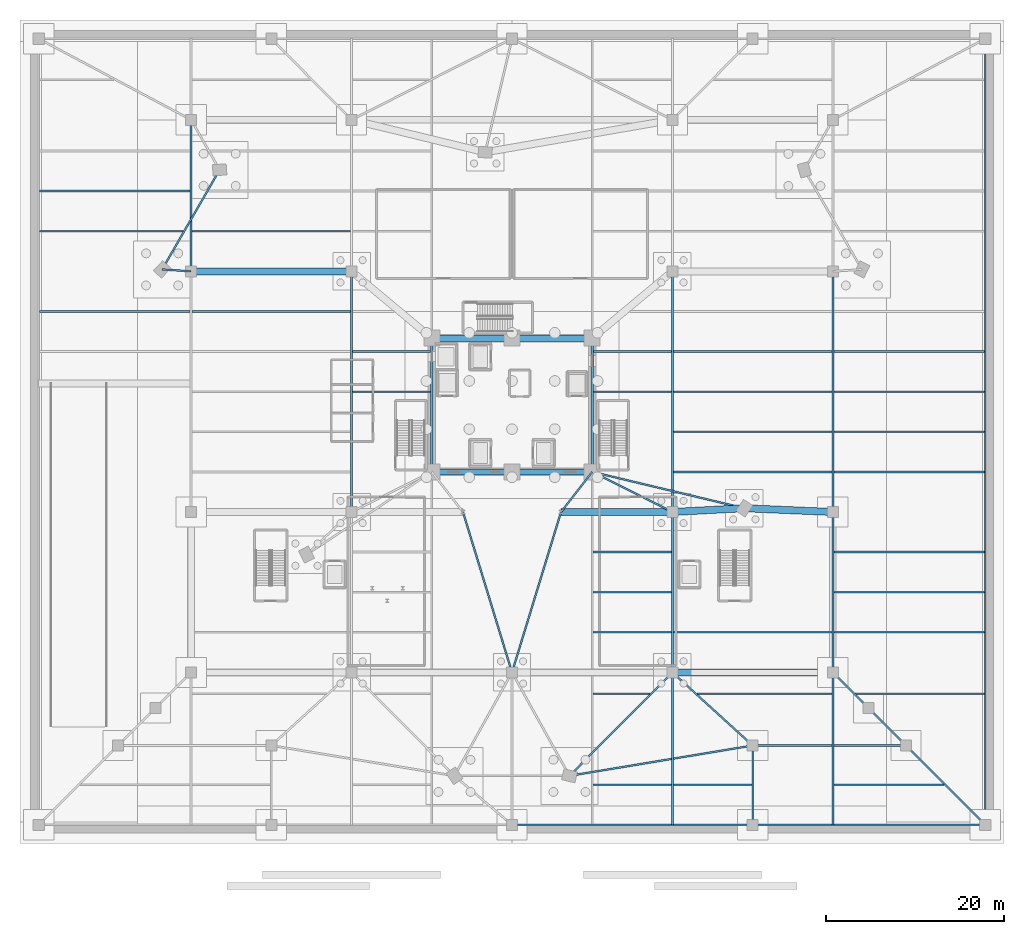
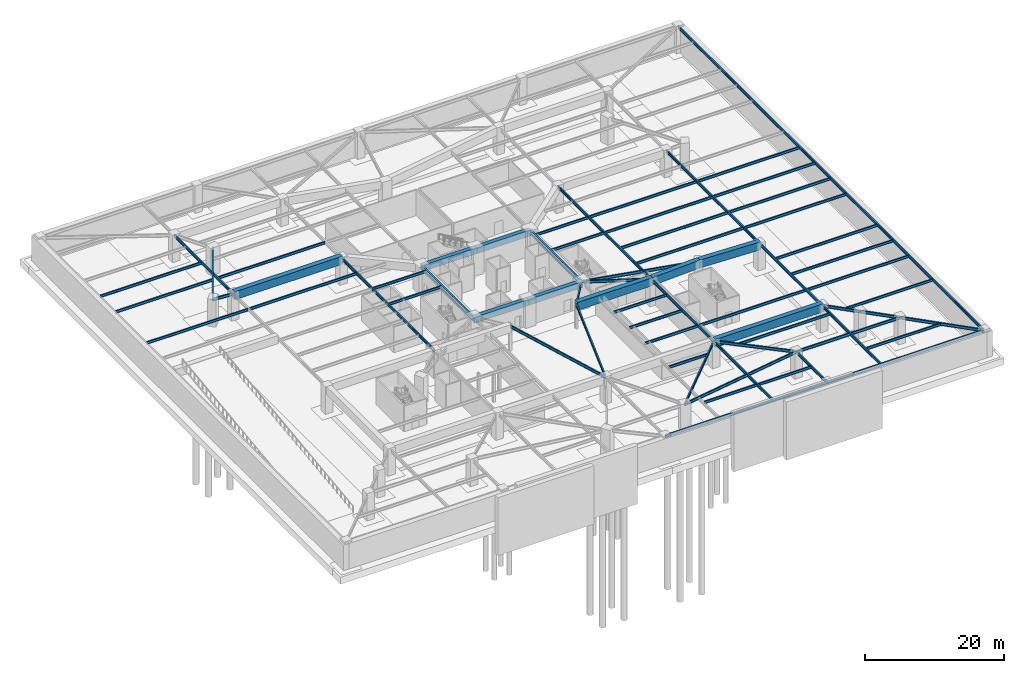
# One storey, part 5 of 19: 67 beams.
"""IFC4 building model written with IfcOpenShell, lengths in metres."""

from ifc_helpers import new_model, si_unit, direction, frame, origin, origin_2d, place, context, subcontext, project, spatial, rectangle, i_section, extrude, source, transform, mapped, material, material_profile, profile_set, type_object, element, save


model = new_model("IFC4")

# Units and contexts
model_context = context("Model", 3, precision=1e-05, world=origin(), true_north=direction((0.0, 1.0)))
body_context = subcontext(model_context, "Body", "Model", "MODEL_VIEW")
ifc_project = project(units=[si_unit("LENGTHUNIT", "METRE"), si_unit("AREAUNIT", "SQUARE_METRE"), si_unit("VOLUMEUNIT", "CUBIC_METRE"), si_unit("PLANEANGLEUNIT", "RADIAN"), si_unit("MASSUNIT", "GRAM", prefix="KILO")], contexts=[model_context])

# Site, building, storey
site_placement = place(None, origin())
site = spatial("IfcSite", under=ifc_project, at=site_placement, CompositionType="ELEMENT")
building_placement = place(site_placement, origin())
building = spatial("IfcBuilding", under=site, at=building_placement, Name="Liaohun Quay Tower", CompositionType="ELEMENT")
storey_placement = place(building_placement, frame((0.0, 0.0, -9.60009765625)))
storey = spatial("IfcBuildingStorey", under=building, at=storey_placement, Name="B2", CompositionType="ELEMENT", Elevation=-9.60009765625)

# Beams
ifc_material_1 = material(Name="Concrete C60", Category="concrete")
ifc_material_profile_1 = material_profile(ifc_material_1, rectangle(XDim=0.699951171875, YDim=1.050048828125, at=origin_2d()), Name="RC700x1050")
ifc_profile_set_1 = profile_set([ifc_material_profile_1], Name="Concrete C60")
beam_type_1 = type_object("IfcBeamType", Name="BM-CPL-1", PredefinedType="LINTEL", material=ifc_profile_set_1)
shared_shape_1 = source(origin(), body_context, "Body", "SweptSolid", [
    extrude(rectangle(XDim=0.699951171875, YDim=1.050048828125, at=origin_2d()), origin(), (0.0, 0.0, 1.0), 9.0),
])
for number, where, z_axis, x_axis, name in (
    (1, (51.0, 46.5, 3.97509765625), (1.0, 0.0, 0.0), (0.0, 1.0, 0.0), "B2 Core Coupling/Ring Beam CC1-CC2"),
    (2, (60.0, 46.5, 3.97509765625), (1.0, 0.0, 0.0), (0.0, 1.0, 0.0), "B2 Core Coupling/Ring Beam CC2-CC3"),
    (3, (69.0, 61.5, 3.97509765625), (-1.0, 0.0, 0.0), (0.0, -1.0, 0.0), "B2 Core Coupling/Ring Beam CC4-CC5"),
    (4, (60.0, 61.5, 3.97509765625), (-1.0, 0.0, 0.0), (0.0, -1.0, 0.0), "B2 Core Coupling/Ring Beam CC5-CC6"),
):
    element("IfcBeam", number, at=place(storey_placement, frame(where, z_axis=z_axis, x_axis=x_axis)), inside=storey, type_object=beam_type_1, Name=name, PredefinedType="LINTEL", context=body_context, shape_type="MappedRepresentation", body=[
        mapped(shared_shape_1, transform((0.0, 0.0, 0.0), x_axis=(1.0, 0.0, 0.0), y_axis=(0.0, 1.0, 0.0), z_axis=(0.0, 0.0, 1.0), scale=1.0)),
    ])
ifc_material_2 = material(Name="Steel Q355D", Category="steel")
ifc_material_profile_2 = material_profile(ifc_material_2, i_section(OverallWidth=0.300048828125, OverallDepth=0.800048828125, WebThickness=0.013916015625, FlangeThickness=0.02587890625, at=origin_2d()), Name="HN800x300x14x26")
ifc_profile_set_2 = profile_set([ifc_material_profile_2], Name="Steel Q355D")
beam_type_2 = type_object("IfcBeamType", Name="BM-RAD-M1", PredefinedType="BEAM", material=ifc_profile_set_2)
shared_shape_2 = source(origin(), body_context, "Body", "SweptSolid", [
    extrude(i_section(OverallWidth=0.300048828125, OverallDepth=0.800048828125, WebThickness=0.013916015625, FlangeThickness=0.02587890625, at=origin_2d()), origin(), (0.0, 0.0, 1.0), 15.0),
])
for number, where, z_axis, x_axis, name in (
    (5, (69.0, 46.5, 4.10009765625), (0.0, 1.0, 0.0), (-1.0, 0.0, 0.0), "B2 Core Coupling/Ring Beam CC3-CC4"),
    (6, (51.0, 61.5, 4.10009765625), (0.0, -1.0, 0.0), (1.0, 0.0, 0.0), "B2 Core Coupling/Ring Beam CC6-CC1"),
):
    element("IfcBeam", number, at=place(storey_placement, frame(where, z_axis=z_axis, x_axis=x_axis)), inside=storey, type_object=beam_type_2, Name=name, PredefinedType="BEAM", context=body_context, shape_type="MappedRepresentation", body=[
        mapped(shared_shape_2, transform((0.0, 0.0, 0.0), x_axis=(1.0, 0.0, 0.0), y_axis=(0.0, 1.0, 0.0), z_axis=(0.0, 0.0, 1.0), scale=1.0)),
    ])
ifc_material_3 = material(Name="Concrete C50", Category="concrete")
ifc_material_profile_3 = material_profile(ifc_material_3, rectangle(XDim=0.800048828125, YDim=1.39990234375, at=origin_2d()), Name="RC800x1400")
ifc_profile_set_3 = profile_set([ifc_material_profile_3], Name="Concrete C50")
beam_type_3 = type_object("IfcBeamType", Name="BM-GRD-1", PredefinedType="BEAM", material=ifc_profile_set_3)
shared_shape_3 = source(origin(), body_context, "Body", "SweptSolid", [
    extrude(rectangle(XDim=0.800048828125, YDim=1.39990234375, at=origin_2d()), origin(), (0.0, 0.0, 1.0), 18.0),
])
for number, where, z_axis, x_axis, name in (
    (7, (78.0, 24.0, 4.10009765625), (1.0, 0.0, 0.0), (0.0, 1.0, 0.0), "B2 Primary Grid Girder PG04-PG05"),
    (8, (24.0, 69.0, 4.10009765625), (1.0, 0.0, 0.0), (0.0, 1.0, 0.0), "B2 Primary Grid Girder PG10-PG11"),
):
    element("IfcBeam", number, at=place(storey_placement, frame(where, z_axis=z_axis, x_axis=x_axis)), inside=storey, type_object=beam_type_3, Name=name, PredefinedType="BEAM", context=body_context, shape_type="MappedRepresentation", body=[
        mapped(shared_shape_3, transform((0.0, 0.0, 0.0), x_axis=(1.0, 0.0, 0.0), y_axis=(0.0, 1.0, 0.0), z_axis=(0.0, 0.0, 1.0), scale=1.0)),
    ])
shared_shape_4 = source(origin(), body_context, "Body", "SweptSolid", [
    extrude(rectangle(XDim=0.800048828125, YDim=1.39990234375, at=origin_2d()), origin(), (0.0, 0.0, 1.0), 12.5),
])
beam_1_placement = place(storey_placement, frame((65.5, 42.0, 4.10009765625), z_axis=(1.0, 0.0, 0.0), x_axis=(0.0, 1.0, 0.0)))
element("IfcBeam", 9, at=beam_1_placement, inside=storey, type_object=beam_type_3, Name="B2 Primary Grid Girder AT2-PG08", PredefinedType="BEAM", context=body_context, shape_type="MappedRepresentation", body=[
    mapped(shared_shape_4, transform((0.0, 0.0, 0.0), x_axis=(1.0, 0.0, 0.0), y_axis=(0.0, 1.0, 0.0), z_axis=(0.0, 0.0, 1.0), scale=1.0)),
])
shared_shape_5 = source(origin(), body_context, "Body", "SweptSolid", [
    extrude(rectangle(XDim=0.800048828125, YDim=1.39990234375, at=origin_2d()), origin(), (0.0, 0.0, 1.0), 8.074951171875),
])
beam_2_placement = place(storey_placement, frame((78.0, 42.0, 4.10009765625), z_axis=(0.998626418426, 0.052395385502, 0.0), x_axis=(-0.052395385502, 0.998626418426, 0.0)))
element("IfcBeam", 10, at=beam_2_placement, inside=storey, type_object=beam_type_3, Name="B2 Primary Grid Girder PG08-PC10", PredefinedType="BEAM", context=body_context, shape_type="MappedRepresentation", body=[
    mapped(shared_shape_5, transform((0.0, 0.0, 0.0), x_axis=(1.0, 0.0, 0.0), y_axis=(0.0, 1.0, 0.0), z_axis=(0.0, 0.0, 1.0), scale=1.0)),
])
shared_shape_6 = source(origin(), body_context, "Body", "SweptSolid", [
    extrude(rectangle(XDim=0.800048828125, YDim=1.39990234375, at=origin_2d()), origin(), (0.0, 0.0, 1.0), 9.945068359375),
])
beam_3_placement = place(storey_placement, frame((86.06396484375, 42.423095703125, 4.10009765625), z_axis=(0.999094620033, -0.042543392219, 0.0), x_axis=(0.042543392219, 0.999094620033, 0.0)))
element("IfcBeam", 11, at=beam_3_placement, inside=storey, type_object=beam_type_3, Name="B2 Primary Grid Girder PC10-PG09", PredefinedType="BEAM", context=body_context, shape_type="MappedRepresentation", body=[
    mapped(shared_shape_6, transform((0.0, 0.0, 0.0), x_axis=(1.0, 0.0, 0.0), y_axis=(0.0, 1.0, 0.0), z_axis=(0.0, 0.0, 1.0), scale=1.0)),
])
ifc_material_profile_4 = material_profile(ifc_material_2, i_section(OverallWidth=0.199951171875, OverallDepth=0.5, WebThickness=0.010009765625, FlangeThickness=0.01611328125, at=origin_2d()), Name="HN500x200x10x16")
ifc_profile_set_4 = profile_set([ifc_material_profile_4], Name="Steel Q355D")
beam_type_4 = type_object("IfcBeamType", Name="BM-POD-G3", PredefinedType="BEAM", material=ifc_profile_set_4)
shared_shape_7 = source(origin(), body_context, "Body", "SweptSolid", [
    extrude(i_section(OverallWidth=0.199951171875, OverallDepth=0.5, WebThickness=0.010009765625, FlangeThickness=0.01611328125, at=origin_2d()), origin(), (0.0, 0.0, 1.0), 27.0),
])
for number, where, z_axis, x_axis, name in (
    (12, (42.0, 42.0, 4.25), (0.0, 1.0, 0.0), (-1.0, 0.0, 0.0), "B2 Primary Grid Girder PG07-PG11"),
    (13, (78.0, 42.0, 4.25), (0.0, 1.0, 0.0), (-1.0, 0.0, 0.0), "B2 Primary Grid Girder PG08-PG12"),
    (14, (96.0, 42.0, 4.25), (0.0, 1.0, 0.0), (-1.0, 0.0, 0.0), "B2 Primary Grid Girder PG09-PG13"),
    (15, (60.0, 6.89990234375, 4.25), (1.0, 0.0, 0.0), (0.0, 1.0, 0.0), "B2 Perimeter Tie Girder BP03-BP04"),
):
    element("IfcBeam", number, at=place(storey_placement, frame(where, z_axis=z_axis, x_axis=x_axis)), inside=storey, type_object=beam_type_4, Name=name, PredefinedType="BEAM", context=body_context, shape_type="MappedRepresentation", body=[
        mapped(shared_shape_7, transform((0.0, 0.0, 0.0), x_axis=(1.0, 0.0, 0.0), y_axis=(0.0, 1.0, 0.0), z_axis=(0.0, 0.0, 1.0), scale=1.0)),
    ])
shared_shape_8 = source(origin(), body_context, "Body", "SweptSolid", [
    extrude(i_section(OverallWidth=0.199951171875, OverallDepth=0.5, WebThickness=0.010009765625, FlangeThickness=0.01611328125, at=origin_2d()), origin(), (0.0, 0.0, 1.0), 17.0),
])
beam_4_placement = place(storey_placement, frame((24.0, 69.0, 4.25), z_axis=(0.0, 1.0, 0.0), x_axis=(-1.0, 0.0, 0.0)))
element("IfcBeam", 16, at=beam_4_placement, inside=storey, type_object=beam_type_4, Name="B2 Primary Grid Girder PG10-PG14", PredefinedType="BEAM", context=body_context, shape_type="MappedRepresentation", body=[
    mapped(shared_shape_8, transform((0.0, 0.0, 0.0), x_axis=(1.0, 0.0, 0.0), y_axis=(0.0, 1.0, 0.0), z_axis=(0.0, 0.0, 1.0), scale=1.0)),
])
shared_shape_9 = source(origin(), body_context, "Body", "SweptSolid", [
    extrude(i_section(OverallWidth=0.199951171875, OverallDepth=0.5, WebThickness=0.010009765625, FlangeThickness=0.01611328125, at=origin_2d()), origin(), (0.0, 0.0, 1.0), 18.0),
])
for number, where, z_axis, x_axis, name in (
    (17, (78.0, 24.0, 4.25), (0.0, 1.0, 0.0), (-1.0, 0.0, 0.0), "B2 Primary Grid Girder PG04-PG08"),
    (18, (96.0, 24.0, 4.25), (0.0, 1.0, 0.0), (-1.0, 0.0, 0.0), "B2 Primary Grid Girder PG05-PG09"),
):
    element("IfcBeam", number, at=place(storey_placement, frame(where, z_axis=z_axis, x_axis=x_axis)), inside=storey, type_object=beam_type_4, Name=name, PredefinedType="BEAM", context=body_context, shape_type="MappedRepresentation", body=[
        mapped(shared_shape_9, transform((0.0, 0.0, 0.0), x_axis=(1.0, 0.0, 0.0), y_axis=(0.0, 1.0, 0.0), z_axis=(0.0, 0.0, 1.0), scale=1.0)),
    ])
shared_shape_10 = source(origin(), body_context, "Body", "SweptSolid", [
    extrude(i_section(OverallWidth=0.199951171875, OverallDepth=0.5, WebThickness=0.010009765625, FlangeThickness=0.01611328125, at=origin_2d()), origin(), (0.0, 0.0, 1.0), 10.062255859375),
])
beam_5_placement = place(storey_placement, frame((78.0, 42.0, 4.25), z_axis=(-0.894427191, 0.4472135955, 0.0), x_axis=(-0.4472135955, -0.894427191, 0.0)))
element("IfcBeam", 19, at=beam_5_placement, inside=storey, type_object=beam_type_4, Name="B2 Primary Grid Girder PG08-CC3", PredefinedType="BEAM", context=body_context, shape_type="MappedRepresentation", body=[
    mapped(shared_shape_10, transform((0.0, 0.0, 0.0), x_axis=(1.0, 0.0, 0.0), y_axis=(0.0, 1.0, 0.0), z_axis=(0.0, 0.0, 1.0), scale=1.0)),
])
shared_shape_11 = source(origin(), body_context, "Body", "SweptSolid", [
    extrude(i_section(OverallWidth=0.199951171875, OverallDepth=0.5, WebThickness=0.010009765625, FlangeThickness=0.01611328125, at=origin_2d()), origin(), (0.0, 0.0, 1.0), 18.821533203125),
])
for number, where, z_axis, x_axis, name in (
    (20, (60.0, 24.0, 4.25), (-0.292218535599, 0.956351571051, 0.0), (-0.956351571051, -0.292218535599, 0.0), "B2 Primary Grid Girder PG03-AT1"),
    (21, (60.0, 24.0, 4.25), (0.292218535599, 0.956351571051, 0.0), (-0.956351571051, 0.292218535599, 0.0), "B2 Primary Grid Girder PG03-AT2"),
):
    element("IfcBeam", number, at=place(storey_placement, frame(where, z_axis=z_axis, x_axis=x_axis)), inside=storey, type_object=beam_type_4, Name=name, PredefinedType="BEAM", context=body_context, shape_type="MappedRepresentation", body=[
        mapped(shared_shape_11, transform((0.0, 0.0, 0.0), x_axis=(1.0, 0.0, 0.0), y_axis=(0.0, 1.0, 0.0), z_axis=(0.0, 0.0, 1.0), scale=1.0)),
    ])
shared_shape_12 = source(origin(), body_context, "Body", "SweptSolid", [
    extrude(i_section(OverallWidth=0.199951171875, OverallDepth=0.5, WebThickness=0.010009765625, FlangeThickness=0.01611328125, at=origin_2d()), origin(), (0.0, 0.0, 1.0), 5.700927734375),
])
beam_6_placement = place(storey_placement, frame((65.5, 42.0, 4.25), z_axis=(0.613940613515, 0.789352217376, 0.0), x_axis=(-0.789352217376, 0.613940613515, 0.0)))
element("IfcBeam", 22, at=beam_6_placement, inside=storey, type_object=beam_type_4, Name="B2 Primary Grid Girder AT2-CC3", PredefinedType="BEAM", context=body_context, shape_type="MappedRepresentation", body=[
    mapped(shared_shape_12, transform((0.0, 0.0, 0.0), x_axis=(1.0, 0.0, 0.0), y_axis=(0.0, 1.0, 0.0), z_axis=(0.0, 0.0, 1.0), scale=1.0)),
])
shared_shape_13 = source(origin(), body_context, "Body", "SweptSolid", [
    extrude(i_section(OverallWidth=0.199951171875, OverallDepth=0.5, WebThickness=0.010009765625, FlangeThickness=0.01611328125, at=origin_2d()), origin(), (0.0, 0.0, 1.0), 16.371826171875),
])
beam_7_placement = place(storey_placement, frame((66.447998046875, 12.39892578125, 4.25), z_axis=(0.705606504265, 0.708603881685, 0.0), x_axis=(-0.708603881685, 0.705606504265, 0.0)))
element("IfcBeam", 23, at=beam_7_placement, inside=storey, type_object=beam_type_4, Name="B2 Primary Grid Girder PC11-PG04", PredefinedType="BEAM", context=body_context, shape_type="MappedRepresentation", body=[
    mapped(shared_shape_13, transform((0.0, 0.0, 0.0), x_axis=(1.0, 0.0, 0.0), y_axis=(0.0, 1.0, 0.0), z_axis=(0.0, 0.0, 1.0), scale=1.0)),
])
shared_shape_14 = source(origin(), body_context, "Body", "SweptSolid", [
    extrude(i_section(OverallWidth=0.199951171875, OverallDepth=0.5, WebThickness=0.010009765625, FlangeThickness=0.01611328125, at=origin_2d()), origin(), (0.0, 0.0, 1.0), 17.544189453125),
])
beam_8_placement = place(storey_placement, frame((86.06396484375, 42.423095703125, 4.25), z_axis=(-0.972625403076, 0.23237862486, 0.0), x_axis=(-0.23237862486, -0.972625403076, 0.0)))
element("IfcBeam", 24, at=beam_8_placement, inside=storey, type_object=beam_type_4, Name="B2 Primary Grid Girder PC10-CC3", PredefinedType="BEAM", context=body_context, shape_type="MappedRepresentation", body=[
    mapped(shared_shape_14, transform((0.0, 0.0, 0.0), x_axis=(1.0, 0.0, 0.0), y_axis=(0.0, 1.0, 0.0), z_axis=(0.0, 0.0, 1.0), scale=1.0)),
])
shared_shape_15 = source(origin(), body_context, "Body", "SweptSolid", [
    extrude(i_section(OverallWidth=0.199951171875, OverallDepth=0.5, WebThickness=0.010009765625, FlangeThickness=0.01611328125, at=origin_2d()), origin(), (0.0, 0.0, 1.0), 3.25927734375),
])
beam_9_placement = place(storey_placement, frame((20.748046875, 69.217041015625, 4.25), z_axis=(0.997780183272, -0.066593587307, 0.0), x_axis=(0.066593587307, 0.997780183272, 0.0)))
element("IfcBeam", 25, at=beam_9_placement, inside=storey, type_object=beam_type_4, Name="B2 Primary Grid Girder PC03-PG10", PredefinedType="BEAM", context=body_context, shape_type="MappedRepresentation", body=[
    mapped(shared_shape_15, transform((0.0, 0.0, 0.0), x_axis=(1.0, 0.0, 0.0), y_axis=(0.0, 1.0, 0.0), z_axis=(0.0, 0.0, 1.0), scale=1.0)),
])
shared_shape_16 = source(origin(), body_context, "Body", "SweptSolid", [
    extrude(i_section(OverallWidth=0.199951171875, OverallDepth=0.5, WebThickness=0.010009765625, FlangeThickness=0.01611328125, at=origin_2d()), origin(), (0.0, 0.0, 1.0), 12.902587890625),
])
beam_10_placement = place(storey_placement, frame((20.748046875, 69.217041015625, 4.25), z_axis=(0.49997524318, 0.866039696669, 0.0), x_axis=(-0.866039696669, 0.49997524318, 0.0)))
element("IfcBeam", 26, at=beam_10_placement, inside=storey, type_object=beam_type_4, Name="B2 Primary Grid Girder PC03-PC05", PredefinedType="BEAM", context=body_context, shape_type="MappedRepresentation", body=[
    mapped(shared_shape_16, transform((0.0, 0.0, 0.0), x_axis=(1.0, 0.0, 0.0), y_axis=(0.0, 1.0, 0.0), z_axis=(0.0, 0.0, 1.0), scale=1.0)),
])
shared_shape_17 = source(origin(), body_context, "Body", "SweptSolid", [
    extrude(i_section(OverallWidth=0.199951171875, OverallDepth=0.5, WebThickness=0.010009765625, FlangeThickness=0.01611328125, at=origin_2d()), origin(), (0.0, 0.0, 1.0), 17.199951171875),
])
beam_11_placement = place(storey_placement, frame((87.0, 15.800048828125, 4.25), z_axis=(1.0, 0.0, 0.0), x_axis=(0.0, 1.0, 0.0)))
element("IfcBeam", 27, at=beam_11_placement, inside=storey, type_object=beam_type_4, Name="B2 Perimeter Tie Girder PT03-PT04", PredefinedType="BEAM", context=body_context, shape_type="MappedRepresentation", body=[
    mapped(shared_shape_17, transform((0.0, 0.0, 0.0), x_axis=(1.0, 0.0, 0.0), y_axis=(0.0, 1.0, 0.0), z_axis=(0.0, 0.0, 1.0), scale=1.0)),
])
shared_shape_18 = source(origin(), body_context, "Body", "SweptSolid", [
    extrude(i_section(OverallWidth=0.199951171875, OverallDepth=0.5, WebThickness=0.010009765625, FlangeThickness=0.01611328125, at=origin_2d()), origin(), (0.0, 0.0, 1.0), 20.83154296875),
])
beam_12_placement = place(storey_placement, frame((66.447998046875, 12.39892578125, 4.25), z_axis=(0.98658174219, 0.163268080095, 0.0), x_axis=(-0.163268080095, 0.98658174219, 0.0)))
element("IfcBeam", 28, at=beam_12_placement, inside=storey, type_object=beam_type_4, Name="B2 Perimeter Tie Girder PC11-PT03", PredefinedType="BEAM", context=body_context, shape_type="MappedRepresentation", body=[
    mapped(shared_shape_18, transform((0.0, 0.0, 0.0), x_axis=(1.0, 0.0, 0.0), y_axis=(0.0, 1.0, 0.0), z_axis=(0.0, 0.0, 1.0), scale=1.0)),
])
shared_shape_19 = source(origin(), body_context, "Body", "SweptSolid", [
    extrude(i_section(OverallWidth=0.199951171875, OverallDepth=0.5, WebThickness=0.010009765625, FlangeThickness=0.01611328125, at=origin_2d()), origin(), (0.0, 0.0, 1.0), 5.939697265625),
])
beam_13_placement = place(storey_placement, frame((104.199951171875, 15.800048828125, 4.25), z_axis=(-0.707106781187, 0.707106781187, 0.0), x_axis=(-0.707106781187, -0.707106781187, 0.0)))
element("IfcBeam", 29, at=beam_13_placement, inside=storey, type_object=beam_type_4, Name="B2 Perimeter Tie Girder PT04-PT06", PredefinedType="BEAM", context=body_context, shape_type="MappedRepresentation", body=[
    mapped(shared_shape_19, transform((0.0, 0.0, 0.0), x_axis=(1.0, 0.0, 0.0), y_axis=(0.0, 1.0, 0.0), z_axis=(0.0, 0.0, 1.0), scale=1.0)),
])
shared_shape_20 = source(origin(), body_context, "Body", "SweptSolid", [
    extrude(i_section(OverallWidth=0.199951171875, OverallDepth=0.5, WebThickness=0.010009765625, FlangeThickness=0.01611328125, at=origin_2d()), origin(), (0.0, 0.0, 1.0), 12.17529296875),
])
beam_14_placement = place(storey_placement, frame((87.0, 15.800048828125, 4.25), z_axis=(-0.739198333818, 0.673487804849, 0.0), x_axis=(-0.673487804849, -0.739198333818, 0.0)))
element("IfcBeam", 30, at=beam_14_placement, inside=storey, type_object=beam_type_4, Name="B2 Perimeter Tie Girder PT03-PG04", PredefinedType="BEAM", context=body_context, shape_type="MappedRepresentation", body=[
    mapped(shared_shape_20, transform((0.0, 0.0, 0.0), x_axis=(1.0, 0.0, 0.0), y_axis=(0.0, 1.0, 0.0), z_axis=(0.0, 0.0, 1.0), scale=1.0)),
])
shared_shape_21 = source(origin(), body_context, "Body", "SweptSolid", [
    extrude(i_section(OverallWidth=0.199951171875, OverallDepth=0.5, WebThickness=0.010009765625, FlangeThickness=0.01611328125, at=origin_2d()), origin(), (0.0, 0.0, 1.0), 5.65673828125),
])
beam_15_placement = place(storey_placement, frame((100.0, 20.0, 4.25), z_axis=(-0.707106781187, 0.707106781187, 0.0), x_axis=(-0.707106781187, -0.707106781187, 0.0)))
element("IfcBeam", 31, at=beam_15_placement, inside=storey, type_object=beam_type_4, Name="B2 Perimeter Tie Girder PT06-PG05", PredefinedType="BEAM", context=body_context, shape_type="MappedRepresentation", body=[
    mapped(shared_shape_21, transform((0.0, 0.0, 0.0), x_axis=(1.0, 0.0, 0.0), y_axis=(0.0, 1.0, 0.0), z_axis=(0.0, 0.0, 1.0), scale=1.0)),
])
shared_shape_22 = source(origin(), body_context, "Body", "SweptSolid", [
    extrude(i_section(OverallWidth=0.199951171875, OverallDepth=0.5, WebThickness=0.010009765625, FlangeThickness=0.01611328125, at=origin_2d()), origin(), (0.0, 0.0, 1.0), 26.10009765625),
])
beam_16_placement = place(storey_placement, frame((87.0, 6.89990234375, 4.25), z_axis=(1.0, 0.0, 0.0), x_axis=(0.0, 1.0, 0.0)))
element("IfcBeam", 32, at=beam_16_placement, inside=storey, type_object=beam_type_4, Name="B2 Perimeter Tie Girder BP04-BP05", PredefinedType="BEAM", context=body_context, shape_type="MappedRepresentation", body=[
    mapped(shared_shape_22, transform((0.0, 0.0, 0.0), x_axis=(1.0, 0.0, 0.0), y_axis=(0.0, 1.0, 0.0), z_axis=(0.0, 0.0, 1.0), scale=1.0)),
])
shared_shape_23 = source(origin(), body_context, "Body", "SweptSolid", [
    extrude(i_section(OverallWidth=0.199951171875, OverallDepth=0.5, WebThickness=0.010009765625, FlangeThickness=0.01611328125, at=origin_2d()), origin(), (0.0, 0.0, 1.0), 88.2001953125),
])
beam_17_placement = place(storey_placement, frame((113.10009765625, 6.89990234375, 4.25), z_axis=(0.0, 1.0, 0.0), x_axis=(-1.0, 0.0, 0.0)))
element("IfcBeam", 33, at=beam_17_placement, inside=storey, type_object=beam_type_4, Name="B2 Perimeter Tie Girder BP05-BP10", PredefinedType="BEAM", context=body_context, shape_type="MappedRepresentation", body=[
    mapped(shared_shape_23, transform((0.0, 0.0, 0.0), x_axis=(1.0, 0.0, 0.0), y_axis=(0.0, 1.0, 0.0), z_axis=(0.0, 0.0, 1.0), scale=1.0)),
])
shared_shape_24 = source(origin(), body_context, "Body", "SweptSolid", [
    extrude(i_section(OverallWidth=0.199951171875, OverallDepth=0.5, WebThickness=0.010009765625, FlangeThickness=0.01611328125, at=origin_2d()), origin(), (0.0, 0.0, 1.0), 12.586669921875),
])
beam_18_placement = place(storey_placement, frame((113.10009765625, 6.89990234375, 4.25), z_axis=(-0.707106781187, 0.707106781187, 0.0), x_axis=(-0.707106781187, -0.707106781187, 0.0)))
element("IfcBeam", 34, at=beam_18_placement, inside=storey, type_object=beam_type_4, Name="B2 Perimeter Tie Girder BP05-PT04", PredefinedType="BEAM", context=body_context, shape_type="MappedRepresentation", body=[
    mapped(shared_shape_24, transform((0.0, 0.0, 0.0), x_axis=(1.0, 0.0, 0.0), y_axis=(0.0, 1.0, 0.0), z_axis=(0.0, 0.0, 1.0), scale=1.0)),
])
shared_shape_25 = source(origin(), body_context, "Body", "SweptSolid", [
    extrude(i_section(OverallWidth=0.199951171875, OverallDepth=0.5, WebThickness=0.010009765625, FlangeThickness=0.01611328125, at=origin_2d()), origin(), (0.0, 0.0, 1.0), 8.900146484375),
])
beam_19_placement = place(storey_placement, frame((87.0, 6.89990234375, 4.25), z_axis=(0.0, 1.0, 0.0), x_axis=(-1.0, 0.0, 0.0)))
element("IfcBeam", 35, at=beam_19_placement, inside=storey, type_object=beam_type_4, Name="B2 Perimeter Tie Girder BP04-PT03", PredefinedType="BEAM", context=body_context, shape_type="MappedRepresentation", body=[
    mapped(shared_shape_25, transform((0.0, 0.0, 0.0), x_axis=(1.0, 0.0, 0.0), y_axis=(0.0, 1.0, 0.0), z_axis=(0.0, 0.0, 1.0), scale=1.0)),
])
shared_shape_26 = source(origin(), body_context, "Body", "SweptSolid", [
    extrude(i_section(OverallWidth=0.199951171875, OverallDepth=0.5, WebThickness=0.010009765625, FlangeThickness=0.01611328125, at=origin_2d()), origin(), (0.0, 0.0, 1.0), 17.10009765625),
])
for number, where, z_axis, x_axis, name in (
    (36, (78.0, 6.89990234375, 4.25), (0.0, 1.0, 0.0), (-1.0, 0.0, 0.0), "B2 South Apron Spine Girder X78"),
    (37, (96.0, 6.89990234375, 4.25), (0.0, 1.0, 0.0), (-1.0, 0.0, 0.0), "B2 South Apron Spine Girder X96"),
):
    element("IfcBeam", number, at=place(storey_placement, frame(where, z_axis=z_axis, x_axis=x_axis)), inside=storey, type_object=beam_type_4, Name=name, PredefinedType="BEAM", context=body_context, shape_type="MappedRepresentation", body=[
        mapped(shared_shape_26, transform((0.0, 0.0, 0.0), x_axis=(1.0, 0.0, 0.0), y_axis=(0.0, 1.0, 0.0), z_axis=(0.0, 0.0, 1.0), scale=1.0)),
    ])
ifc_material_profile_5 = material_profile(ifc_material_2, i_section(OverallWidth=0.199951171875, OverallDepth=0.449951171875, WebThickness=0.009033203125, FlangeThickness=0.013916015625, at=origin_2d()), Name="HN450x200x9x14")
ifc_profile_set_5 = profile_set([ifc_material_profile_5], Name="Steel Q355D")
beam_type_5 = type_object("IfcBeamType", Name="BM-SEC-J1", PredefinedType="JOIST", material=ifc_profile_set_5)
shared_shape_27 = source(origin(), body_context, "Body", "SweptSolid", [
    extrude(i_section(OverallWidth=0.199951171875, OverallDepth=0.449951171875, WebThickness=0.009033203125, FlangeThickness=0.013916015625, at=origin_2d()), origin(), (0.0, 0.0, 1.0), 12.35888671875),
])
beam_20_placement = place(storey_placement, frame((96.10009765625, 11.39990234375, 4.275146484375), z_axis=(1.0, 0.0, 0.0), x_axis=(0.0, 1.0, 0.0)))
element("IfcBeam", 38, at=beam_20_placement, inside=storey, type_object=beam_type_5, Name="B2 Composite Floor Joist SJ-70", PredefinedType="JOIST", context=body_context, shape_type="MappedRepresentation", body=[
    mapped(shared_shape_27, transform((0.0, 0.0, 0.0), x_axis=(1.0, 0.0, 0.0), y_axis=(0.0, 1.0, 0.0), z_axis=(0.0, 0.0, 1.0), scale=1.0)),
])
shared_shape_28 = source(origin(), body_context, "Body", "SweptSolid", [
    extrude(i_section(OverallWidth=0.199951171875, OverallDepth=0.449951171875, WebThickness=0.009033203125, FlangeThickness=0.013916015625, at=origin_2d()), origin(), (0.0, 0.0, 1.0), 16.89990234375),
])
for number, where, z_axis, x_axis, name in (
    (39, (7.0, 64.5, 4.275146484375), (1.0, 0.0, 0.0), (0.0, 1.0, 0.0), "B2 Composite Floor Joist SJ-09"),
    (40, (7.0, 78.0, 4.275146484375), (1.0, 0.0, 0.0), (0.0, 1.0, 0.0), "B2 Composite Floor Joist SJ-11"),
    (41, (96.10009765625, 28.5, 4.275146484375), (1.0, 0.0, 0.0), (0.0, 1.0, 0.0), "B2 Composite Floor Joist SJ-72"),
    (42, (96.10009765625, 33.0, 4.275146484375), (1.0, 0.0, 0.0), (0.0, 1.0, 0.0), "B2 Composite Floor Joist SJ-73"),
    (43, (96.10009765625, 37.5, 4.275146484375), (1.0, 0.0, 0.0), (0.0, 1.0, 0.0), "B2 Composite Floor Joist SJ-74"),
    (44, (96.10009765625, 46.5, 4.275146484375), (1.0, 0.0, 0.0), (0.0, 1.0, 0.0), "B2 Composite Floor Joist SJ-75"),
    (45, (96.10009765625, 51.0, 4.275146484375), (1.0, 0.0, 0.0), (0.0, 1.0, 0.0), "B2 Composite Floor Joist SJ-76"),
    (46, (96.10009765625, 55.5, 4.275146484375), (1.0, 0.0, 0.0), (0.0, 1.0, 0.0), "B2 Composite Floor Joist SJ-77"),
    (47, (96.10009765625, 60.0, 4.275146484375), (1.0, 0.0, 0.0), (0.0, 1.0, 0.0), "B2 Composite Floor Joist SJ-78"),
):
    element("IfcBeam", number, at=place(storey_placement, frame(where, z_axis=z_axis, x_axis=x_axis)), inside=storey, type_object=beam_type_5, Name=name, PredefinedType="JOIST", context=body_context, shape_type="MappedRepresentation", body=[
        mapped(shared_shape_28, transform((0.0, 0.0, 0.0), x_axis=(1.0, 0.0, 0.0), y_axis=(0.0, 1.0, 0.0), z_axis=(0.0, 0.0, 1.0), scale=1.0)),
    ])
shared_shape_29 = source(origin(), body_context, "Body", "SweptSolid", [
    extrude(i_section(OverallWidth=0.199951171875, OverallDepth=0.449951171875, WebThickness=0.009033203125, FlangeThickness=0.013916015625, at=origin_2d()), origin(), (0.0, 0.0, 1.0), 16.10498046875),
])
beam_21_placement = place(storey_placement, frame((7.0, 73.5, 4.275146484375), z_axis=(1.0, 0.0, 0.0), x_axis=(0.0, 1.0, 0.0)))
element("IfcBeam", 48, at=beam_21_placement, inside=storey, type_object=beam_type_5, Name="B2 Composite Floor Joist SJ-10", PredefinedType="JOIST", context=body_context, shape_type="MappedRepresentation", body=[
    mapped(shared_shape_29, transform((0.0, 0.0, 0.0), x_axis=(1.0, 0.0, 0.0), y_axis=(0.0, 1.0, 0.0), z_axis=(0.0, 0.0, 1.0), scale=1.0)),
])
shared_shape_30 = source(origin(), body_context, "Body", "SweptSolid", [
    extrude(i_section(OverallWidth=0.199951171875, OverallDepth=0.449951171875, WebThickness=0.009033203125, FlangeThickness=0.013916015625, at=origin_2d()), origin(), (0.0, 0.0, 1.0), 8.7998046875),
])
for number, where, z_axis, x_axis, name in (
    (49, (69.10009765625, 11.39990234375, 4.275146484375), (1.0, 0.0, 0.0), (0.0, 1.0, 0.0), "B2 Composite Floor Joist SJ-42"),
    (50, (69.10009765625, 28.5, 4.275146484375), (1.0, 0.0, 0.0), (0.0, 1.0, 0.0), "B2 Composite Floor Joist SJ-44"),
    (51, (69.10009765625, 33.0, 4.275146484375), (1.0, 0.0, 0.0), (0.0, 1.0, 0.0), "B2 Composite Floor Joist SJ-45"),
    (52, (69.10009765625, 37.5, 4.275146484375), (1.0, 0.0, 0.0), (0.0, 1.0, 0.0), "B2 Composite Floor Joist SJ-46"),
    (53, (78.10009765625, 11.39990234375, 4.275146484375), (1.0, 0.0, 0.0), (0.0, 1.0, 0.0), "B2 Composite Floor Joist SJ-56"),
):
    element("IfcBeam", number, at=place(storey_placement, frame(where, z_axis=z_axis, x_axis=x_axis)), inside=storey, type_object=beam_type_5, Name=name, PredefinedType="JOIST", context=body_context, shape_type="MappedRepresentation", body=[
        mapped(shared_shape_30, transform((0.0, 0.0, 0.0), x_axis=(1.0, 0.0, 0.0), y_axis=(0.0, 1.0, 0.0), z_axis=(0.0, 0.0, 1.0), scale=1.0)),
    ])
shared_shape_31 = source(origin(), body_context, "Body", "SweptSolid", [
    extrude(i_section(OverallWidth=0.199951171875, OverallDepth=0.449951171875, WebThickness=0.009033203125, FlangeThickness=0.013916015625, at=origin_2d()), origin(), (0.0, 0.0, 1.0), 15.116943359375),
])
beam_22_placement = place(storey_placement, frame((80.782958984375, 21.60009765625, 4.275146484375), z_axis=(1.0, 0.0, 0.0), x_axis=(0.0, 1.0, 0.0)))
element("IfcBeam", 54, at=beam_22_placement, inside=storey, type_object=beam_type_5, Name="B2 Composite Floor Joist SJ-57", PredefinedType="JOIST", context=body_context, shape_type="MappedRepresentation", body=[
    mapped(shared_shape_31, transform((0.0, 0.0, 0.0), x_axis=(1.0, 0.0, 0.0), y_axis=(0.0, 1.0, 0.0), z_axis=(0.0, 0.0, 1.0), scale=1.0)),
])
shared_shape_32 = source(origin(), body_context, "Body", "SweptSolid", [
    extrude(i_section(OverallWidth=0.199951171875, OverallDepth=0.449951171875, WebThickness=0.009033203125, FlangeThickness=0.013916015625, at=origin_2d()), origin(), (0.0, 0.0, 1.0), 17.7998046875),
])
for number, where, z_axis, x_axis, name in (
    (55, (24.10009765625, 64.5, 4.275146484375), (1.0, 0.0, 0.0), (0.0, 1.0, 0.0), "B2 Composite Floor Joist SJ-23"),
    (56, (24.10009765625, 73.5, 4.275146484375), (1.0, 0.0, 0.0), (0.0, 1.0, 0.0), "B2 Composite Floor Joist SJ-24"),
    (57, (78.10009765625, 28.5, 4.275146484375), (1.0, 0.0, 0.0), (0.0, 1.0, 0.0), "B2 Composite Floor Joist SJ-58"),
    (58, (78.10009765625, 46.5, 4.275146484375), (1.0, 0.0, 0.0), (0.0, 1.0, 0.0), "B2 Composite Floor Joist SJ-61"),
    (59, (78.10009765625, 51.0, 4.275146484375), (1.0, 0.0, 0.0), (0.0, 1.0, 0.0), "B2 Composite Floor Joist SJ-62"),
    (60, (78.10009765625, 55.5, 4.275146484375), (1.0, 0.0, 0.0), (0.0, 1.0, 0.0), "B2 Composite Floor Joist SJ-63"),
    (61, (78.10009765625, 60.0, 4.275146484375), (1.0, 0.0, 0.0), (0.0, 1.0, 0.0), "B2 Composite Floor Joist SJ-64"),
):
    element("IfcBeam", number, at=place(storey_placement, frame(where, z_axis=z_axis, x_axis=x_axis)), inside=storey, type_object=beam_type_5, Name=name, PredefinedType="JOIST", context=body_context, shape_type="MappedRepresentation", body=[
        mapped(shared_shape_32, transform((0.0, 0.0, 0.0), x_axis=(1.0, 0.0, 0.0), y_axis=(0.0, 1.0, 0.0), z_axis=(0.0, 0.0, 1.0), scale=1.0)),
    ])
shared_shape_33 = source(origin(), body_context, "Body", "SweptSolid", [
    extrude(i_section(OverallWidth=0.199951171875, OverallDepth=0.449951171875, WebThickness=0.009033203125, FlangeThickness=0.013916015625, at=origin_2d()), origin(), (0.0, 0.0, 1.0), 8.75),
])
for number, where, z_axis, x_axis, name in (
    (62, (42.10009765625, 55.5, 4.275146484375), (1.0, 0.0, 0.0), (0.0, 1.0, 0.0), "B2 Composite Floor Joist SJ-35"),
    (63, (42.10009765625, 60.0, 4.275146484375), (1.0, 0.0, 0.0), (0.0, 1.0, 0.0), "B2 Composite Floor Joist SJ-36"),
    (64, (69.14990234375, 55.5, 4.275146484375), (1.0, 0.0, 0.0), (0.0, 1.0, 0.0), "B2 Composite Floor Joist SJ-49"),
    (65, (69.14990234375, 60.0, 4.275146484375), (1.0, 0.0, 0.0), (0.0, 1.0, 0.0), "B2 Composite Floor Joist SJ-50"),
):
    element("IfcBeam", number, at=place(storey_placement, frame(where, z_axis=z_axis, x_axis=x_axis)), inside=storey, type_object=beam_type_5, Name=name, PredefinedType="JOIST", context=body_context, shape_type="MappedRepresentation", body=[
        mapped(shared_shape_33, transform((0.0, 0.0, 0.0), x_axis=(1.0, 0.0, 0.0), y_axis=(0.0, 1.0, 0.0), z_axis=(0.0, 0.0, 1.0), scale=1.0)),
    ])
shared_shape_34 = source(origin(), body_context, "Body", "SweptSolid", [
    extrude(i_section(OverallWidth=0.199951171875, OverallDepth=0.449951171875, WebThickness=0.009033203125, FlangeThickness=0.013916015625, at=origin_2d()), origin(), (0.0, 0.0, 1.0), 6.368896484375),
])
beam_23_placement = place(storey_placement, frame((69.10009765625, 21.60009765625, 4.275146484375), z_axis=(1.0, 0.0, 0.0), x_axis=(0.0, 1.0, 0.0)))
element("IfcBeam", 66, at=beam_23_placement, inside=storey, type_object=beam_type_5, Name="B2 Composite Floor Joist SJ-43", PredefinedType="JOIST", context=body_context, shape_type="MappedRepresentation", body=[
    mapped(shared_shape_34, transform((0.0, 0.0, 0.0), x_axis=(1.0, 0.0, 0.0), y_axis=(0.0, 1.0, 0.0), z_axis=(0.0, 0.0, 1.0), scale=1.0)),
])
shared_shape_35 = source(origin(), body_context, "Body", "SweptSolid", [
    extrude(i_section(OverallWidth=0.199951171875, OverallDepth=0.449951171875, WebThickness=0.009033203125, FlangeThickness=0.013916015625, at=origin_2d()), origin(), (0.0, 0.0, 1.0), 14.458984375),
])
beam_24_placement = place(storey_placement, frame((98.541015625, 21.60009765625, 4.275146484375), z_axis=(1.0, 0.0, 0.0), x_axis=(0.0, 1.0, 0.0)))
element("IfcBeam", 67, at=beam_24_placement, inside=storey, type_object=beam_type_5, Name="B2 Composite Floor Joist SJ-71", PredefinedType="JOIST", context=body_context, shape_type="MappedRepresentation", body=[
    mapped(shared_shape_35, transform((0.0, 0.0, 0.0), x_axis=(1.0, 0.0, 0.0), y_axis=(0.0, 1.0, 0.0), z_axis=(0.0, 0.0, 1.0), scale=1.0)),
])

save(model, "model.ifc")
